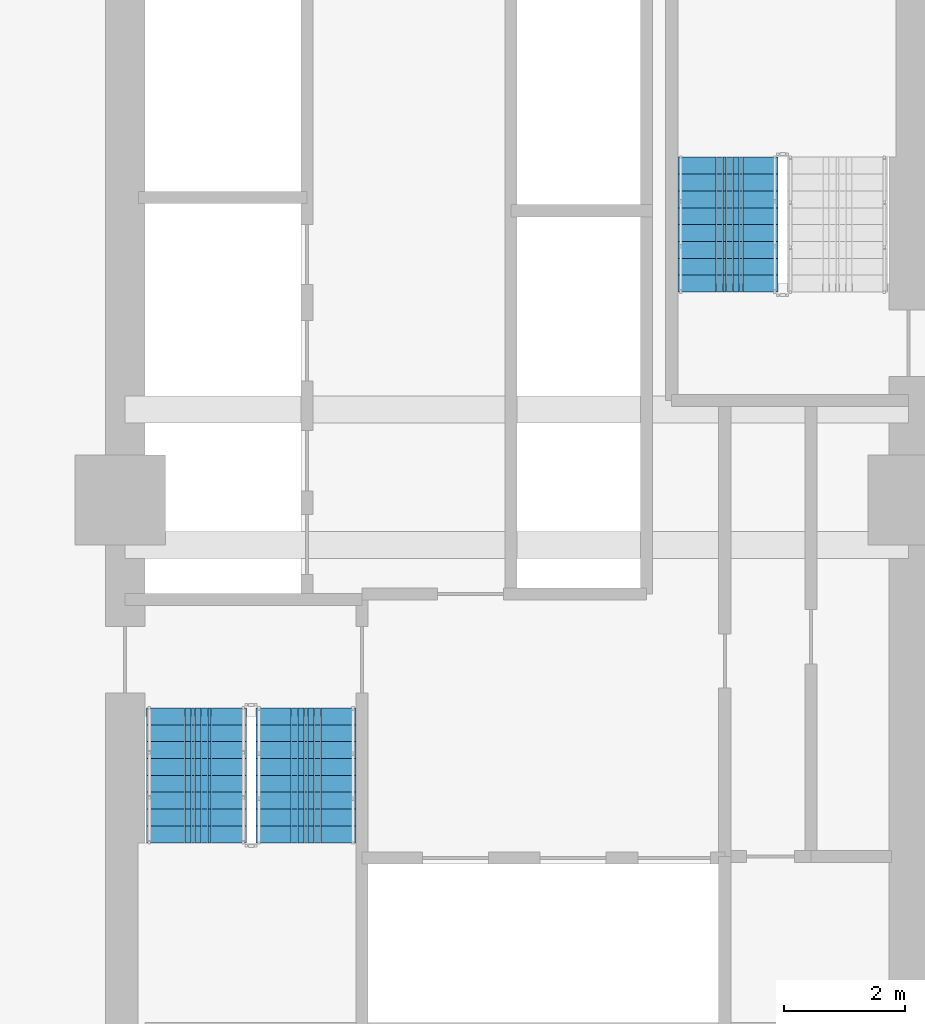
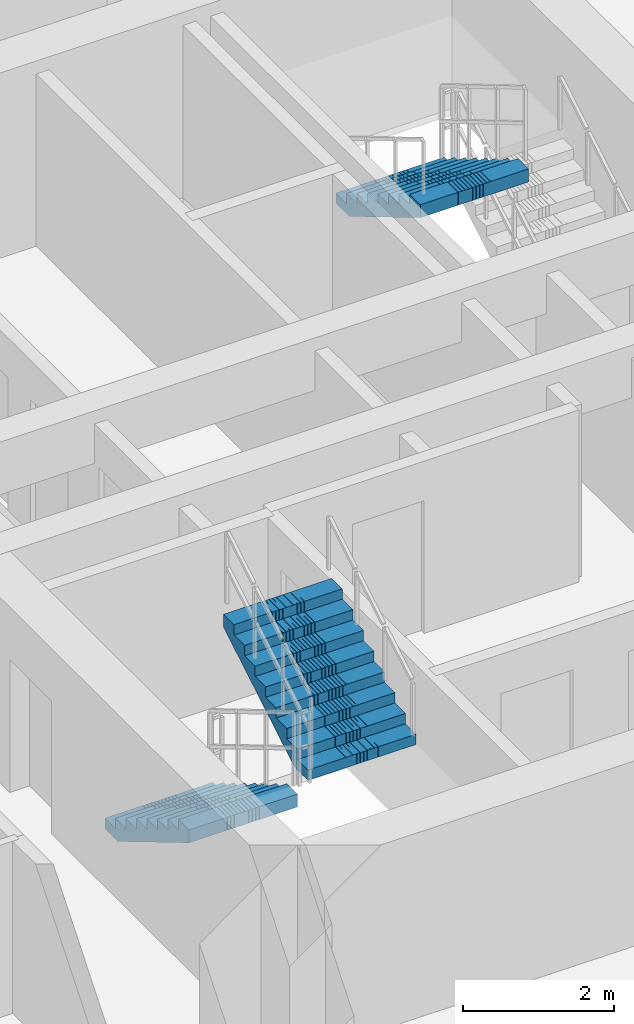
# One storey, part 9 of 18: 3 stair flights, 2 elements without a shape of their own.
"""IFC4 building model written with IfcOpenShell, lengths in metres."""

from ifc_helpers import new_model, si_unit, direction, frame, origin, place, context, subcontext, project, spatial, polyline, outline, extrude, material, type_object, element, aggregate, save


model = new_model("IFC4")

# Units and contexts
model_context = context("Model", 3, precision=1e-05, world=origin(), true_north=direction((0.0, 1.0)))
body_context = subcontext(model_context, "Body", "Model", "MODEL_VIEW")
ifc_project = project(units=[si_unit("LENGTHUNIT", "METRE"), si_unit("AREAUNIT", "SQUARE_METRE"), si_unit("VOLUMEUNIT", "CUBIC_METRE"), si_unit("PLANEANGLEUNIT", "RADIAN"), si_unit("MASSUNIT", "GRAM", prefix="KILO")], contexts=[model_context])

# Site, building, storey
site_placement = place(None, origin())
site = spatial("IfcSite", under=ifc_project, at=site_placement, CompositionType="ELEMENT")
building_placement = place(site_placement, origin())
building = spatial("IfcBuilding", under=site, at=building_placement, Name="Saelheon Loggia Tower", CompositionType="ELEMENT")
storey_placement = place(building_placement, frame((0.0, 0.0, 40.39990234375)))
storey = spatial("IfcBuildingStorey", under=building, at=storey_placement, Name="L12", CompositionType="ELEMENT", Elevation=40.39990234375)

# Stair, stair flights
ifc_material = material(Name="Concrete C40/50", Category="concrete")
stair_type = type_object("IfcStairType", Name="Stair_Escape_Core", PredefinedType="HALF_TURN_STAIR", material=ifc_material)
stair_1_placement = place(storey_placement, origin())
stair_1 = element("IfcStair", 1, at=stair_1_placement, inside=storey, type_object=stair_type, Name="L12 Special Escape Stair ST1", PredefinedType="HALF_TURN_STAIR")
stair_flight_type = type_object("IfcStairFlightType", Name="StairFlight_Tower_1660", PredefinedType="STRAIGHT", material=ifc_material)
stair_flight_1_placement = place(storey_placement, frame((32.679931640625, 23.550048828125, 0.0), z_axis=(0.0, 0.0, 1.0), x_axis=(0.0, -1.0, 0.0)))
stair_flight_1 = element("IfcStairFlight", 2, at=stair_flight_1_placement, type_object=stair_flight_type, Name="ST1 flight 1", NumberOfRisers=9, NumberOfTreads=8, PredefinedType="STRAIGHT", RiserHeight=0.166666667, TreadLength=0.28, context=body_context, shape_type="SweptSolid", body=[
    extrude(outline(polyline([(0.0, 0.0), (0.0, 0.166748046875), (0.280029296875, 0.166748046875), (0.280029296875, 0.333251953125), (0.56005859375, 0.333251953125), (0.56005859375, 0.5), (0.840087890625, 0.5), (0.840087890625, 0.666748046875), (1.1201171875, 0.666748046875), (1.1201171875, 0.833251953125), (1.39990234375, 0.833251953125), (1.39990234375, 1.0), (1.679931640625, 1.0), (1.679931640625, 1.166748046875), (1.9599609375, 1.166748046875), (1.9599609375, 1.333251953125), (2.239990234375, 1.333251953125), (2.239990234375, 1.5), (2.239990234375, 1.1240234375), (0.351806640625, 0.0), (0.0, 0.0)])), frame((0.0, -0.2490234375, 0.0), z_axis=(0.0, -1.0, 0.0), x_axis=(1.0, 0.0, 0.0)), (0.0, 0.0, 1.0), 0.5810546875),
    extrude(outline(polyline([(0.0, 0.0), (0.0, 0.166748046875), (0.280029296875, 0.166748046875), (0.280029296875, 0.333251953125), (0.56005859375, 0.333251953125), (0.56005859375, 0.5), (0.840087890625, 0.5), (0.840087890625, 0.666748046875), (1.1201171875, 0.666748046875), (1.1201171875, 0.833251953125), (1.39990234375, 0.833251953125), (1.39990234375, 1.0), (1.679931640625, 1.0), (1.679931640625, 1.166748046875), (1.9599609375, 1.166748046875), (1.9599609375, 1.333251953125), (2.239990234375, 1.333251953125), (2.239990234375, 1.5), (2.239990234375, 1.1240234375), (0.351806640625, 0.0), (0.0, 0.0)])), frame((0.0, -0.194091796875, 0.0), z_axis=(0.0, -1.0, 0.0), x_axis=(1.0, 0.0, 0.0)), (0.0, 0.0, 1.0), 0.0498046875),
    extrude(outline(polyline([(0.0, 0.0), (0.0, 0.166748046875), (0.280029296875, 0.166748046875), (0.280029296875, 0.333251953125), (0.56005859375, 0.333251953125), (0.56005859375, 0.5), (0.840087890625, 0.5), (0.840087890625, 0.666748046875), (1.1201171875, 0.666748046875), (1.1201171875, 0.833251953125), (1.39990234375, 0.833251953125), (1.39990234375, 1.0), (1.679931640625, 1.0), (1.679931640625, 1.166748046875), (1.9599609375, 1.166748046875), (1.9599609375, 1.333251953125), (2.239990234375, 1.333251953125), (2.239990234375, 1.5), (2.239990234375, 1.1240234375), (0.351806640625, 0.0), (0.0, 0.0)])), frame((0.0, -0.139404296875, 0.0), z_axis=(0.0, -1.0, 0.0), x_axis=(1.0, 0.0, 0.0)), (0.0, 0.0, 1.0), 0.0498046875),
    extrude(outline(polyline([(0.0, 0.0), (0.0, 0.166748046875), (0.280029296875, 0.166748046875), (0.280029296875, 0.333251953125), (0.56005859375, 0.333251953125), (0.56005859375, 0.5), (0.840087890625, 0.5), (0.840087890625, 0.666748046875), (1.1201171875, 0.666748046875), (1.1201171875, 0.833251953125), (1.39990234375, 0.833251953125), (1.39990234375, 1.0), (1.679931640625, 1.0), (1.679931640625, 1.166748046875), (1.9599609375, 1.166748046875), (1.9599609375, 1.333251953125), (2.239990234375, 1.333251953125), (2.239990234375, 1.5), (2.239990234375, 1.1240234375), (0.351806640625, 0.0), (0.0, 0.0)])), frame((0.0, -0.084716796875, 0.0), z_axis=(0.0, -1.0, 0.0), x_axis=(1.0, 0.0, 0.0)), (0.0, 0.0, 1.0), 0.0498046875),
    extrude(outline(polyline([(0.0, 0.0), (0.0, 0.166748046875), (0.280029296875, 0.166748046875), (0.280029296875, 0.333251953125), (0.56005859375, 0.333251953125), (0.56005859375, 0.5), (0.840087890625, 0.5), (0.840087890625, 0.666748046875), (1.1201171875, 0.666748046875), (1.1201171875, 0.833251953125), (1.39990234375, 0.833251953125), (1.39990234375, 1.0), (1.679931640625, 1.0), (1.679931640625, 1.166748046875), (1.9599609375, 1.166748046875), (1.9599609375, 1.333251953125), (2.239990234375, 1.333251953125), (2.239990234375, 1.5), (2.239990234375, 1.1240234375), (0.351806640625, 0.0), (0.0, 0.0)])), frame((0.0, -0.02978515625, 0.0), z_axis=(0.0, -1.0, 0.0), x_axis=(1.0, 0.0, 0.0)), (0.0, 0.0, 1.0), 0.0498046875),
    extrude(outline(polyline([(0.0, 0.0), (0.0, 0.166748046875), (0.280029296875, 0.166748046875), (0.280029296875, 0.333251953125), (0.56005859375, 0.333251953125), (0.56005859375, 0.5), (0.840087890625, 0.5), (0.840087890625, 0.666748046875), (1.1201171875, 0.666748046875), (1.1201171875, 0.833251953125), (1.39990234375, 0.833251953125), (1.39990234375, 1.0), (1.679931640625, 1.0), (1.679931640625, 1.166748046875), (1.9599609375, 1.166748046875), (1.9599609375, 1.333251953125), (2.239990234375, 1.333251953125), (2.239990234375, 1.5), (2.239990234375, 1.1240234375), (0.351806640625, 0.0), (0.0, 0.0)])), frame((0.0, 0.02490234375, 0.0), z_axis=(0.0, -1.0, 0.0), x_axis=(1.0, 0.0, 0.0)), (0.0, 0.0, 1.0), 0.0498046875),
    extrude(outline(polyline([(0.0, 0.0), (0.0, 0.166748046875), (0.280029296875, 0.166748046875), (0.280029296875, 0.333251953125), (0.56005859375, 0.333251953125), (0.56005859375, 0.5), (0.840087890625, 0.5), (0.840087890625, 0.666748046875), (1.1201171875, 0.666748046875), (1.1201171875, 0.833251953125), (1.39990234375, 0.833251953125), (1.39990234375, 1.0), (1.679931640625, 1.0), (1.679931640625, 1.166748046875), (1.9599609375, 1.166748046875), (1.9599609375, 1.333251953125), (2.239990234375, 1.333251953125), (2.239990234375, 1.5), (2.239990234375, 1.1240234375), (0.351806640625, 0.0), (0.0, 0.0)])), frame((0.0, 0.07958984375, 0.0), z_axis=(0.0, -1.0, 0.0), x_axis=(1.0, 0.0, 0.0)), (0.0, 0.0, 1.0), 0.0498046875),
    extrude(outline(polyline([(0.0, 0.0), (0.0, 0.166748046875), (0.280029296875, 0.166748046875), (0.280029296875, 0.333251953125), (0.56005859375, 0.333251953125), (0.56005859375, 0.5), (0.840087890625, 0.5), (0.840087890625, 0.666748046875), (1.1201171875, 0.666748046875), (1.1201171875, 0.833251953125), (1.39990234375, 0.833251953125), (1.39990234375, 1.0), (1.679931640625, 1.0), (1.679931640625, 1.166748046875), (1.9599609375, 1.166748046875), (1.9599609375, 1.333251953125), (2.239990234375, 1.333251953125), (2.239990234375, 1.5), (2.239990234375, 1.1240234375), (0.351806640625, 0.0), (0.0, 0.0)])), frame((0.0, 0.134521484375, 0.0), z_axis=(0.0, -1.0, 0.0), x_axis=(1.0, 0.0, 0.0)), (0.0, 0.0, 1.0), 0.0498046875),
    extrude(outline(polyline([(0.0, 0.0), (0.0, 0.166748046875), (0.280029296875, 0.166748046875), (0.280029296875, 0.333251953125), (0.56005859375, 0.333251953125), (0.56005859375, 0.5), (0.840087890625, 0.5), (0.840087890625, 0.666748046875), (1.1201171875, 0.666748046875), (1.1201171875, 0.833251953125), (1.39990234375, 0.833251953125), (1.39990234375, 1.0), (1.679931640625, 1.0), (1.679931640625, 1.166748046875), (1.9599609375, 1.166748046875), (1.9599609375, 1.333251953125), (2.239990234375, 1.333251953125), (2.239990234375, 1.5), (2.239990234375, 1.1240234375), (0.351806640625, 0.0), (0.0, 0.0)])), frame((0.0, 0.189208984375, 0.0), z_axis=(0.0, -1.0, 0.0), x_axis=(1.0, 0.0, 0.0)), (0.0, 0.0, 1.0), 0.0498046875),
    extrude(outline(polyline([(0.0, 0.0), (0.0, 0.166748046875), (0.280029296875, 0.166748046875), (0.280029296875, 0.333251953125), (0.56005859375, 0.333251953125), (0.56005859375, 0.5), (0.840087890625, 0.5), (0.840087890625, 0.666748046875), (1.1201171875, 0.666748046875), (1.1201171875, 0.833251953125), (1.39990234375, 0.833251953125), (1.39990234375, 1.0), (1.679931640625, 1.0), (1.679931640625, 1.166748046875), (1.9599609375, 1.166748046875), (1.9599609375, 1.333251953125), (2.239990234375, 1.333251953125), (2.239990234375, 1.5), (2.239990234375, 1.1240234375), (0.351806640625, 0.0), (0.0, 0.0)])), frame((0.0, 0.243896484375, 0.0), z_axis=(0.0, -1.0, 0.0), x_axis=(1.0, 0.0, 0.0)), (0.0, 0.0, 1.0), 0.0498046875),
    extrude(outline(polyline([(0.0, 0.0), (0.0, 0.166748046875), (0.280029296875, 0.166748046875), (0.280029296875, 0.333251953125), (0.56005859375, 0.333251953125), (0.56005859375, 0.5), (0.840087890625, 0.5), (0.840087890625, 0.666748046875), (1.1201171875, 0.666748046875), (1.1201171875, 0.833251953125), (1.39990234375, 0.833251953125), (1.39990234375, 1.0), (1.679931640625, 1.0), (1.679931640625, 1.166748046875), (1.9599609375, 1.166748046875), (1.9599609375, 1.333251953125), (2.239990234375, 1.333251953125), (2.239990234375, 1.5), (2.239990234375, 1.1240234375), (0.351806640625, 0.0), (0.0, 0.0)])), frame((0.0, 0.830078125, 0.0), z_axis=(0.0, -1.0, 0.0), x_axis=(1.0, 0.0, 0.0)), (0.0, 0.0, 1.0), 0.5810546875),
])
stair_flight_2_placement = place(storey_placement, frame((34.5, 21.31005859375, 1.5), z_axis=(0.0, 0.0, 1.0), x_axis=(0.0, 1.0, 0.0)))
stair_flight_2 = element("IfcStairFlight", 3, at=stair_flight_2_placement, type_object=stair_flight_type, Name="ST1 flight 2", NumberOfRisers=9, NumberOfTreads=8, PredefinedType="STRAIGHT", RiserHeight=0.166666667, TreadLength=0.28, context=body_context, shape_type="SweptSolid", body=[
    extrude(outline(polyline([(0.0, 0.0), (0.0, 0.166748046875), (0.280029296875, 0.166748046875), (0.280029296875, 0.333251953125), (0.56005859375, 0.333251953125), (0.56005859375, 0.5), (0.840087890625, 0.5), (0.840087890625, 0.666748046875), (1.1201171875, 0.666748046875), (1.1201171875, 0.833251953125), (1.39990234375, 0.833251953125), (1.39990234375, 1.0), (1.679931640625, 1.0), (1.679931640625, 1.166748046875), (1.9599609375, 1.166748046875), (1.9599609375, 1.333251953125), (2.239990234375, 1.333251953125), (2.239990234375, 1.5), (2.239990234375, 1.1240234375), (0.351806640625, 0.0), (0.0, 0.0)])), frame((0.0, -0.2490234375, 0.0), z_axis=(0.0, -1.0, 0.0), x_axis=(1.0, 0.0, 0.0)), (0.0, 0.0, 1.0), 0.5810546875),
    extrude(outline(polyline([(0.0, 0.0), (0.0, 0.166748046875), (0.280029296875, 0.166748046875), (0.280029296875, 0.333251953125), (0.56005859375, 0.333251953125), (0.56005859375, 0.5), (0.840087890625, 0.5), (0.840087890625, 0.666748046875), (1.1201171875, 0.666748046875), (1.1201171875, 0.833251953125), (1.39990234375, 0.833251953125), (1.39990234375, 1.0), (1.679931640625, 1.0), (1.679931640625, 1.166748046875), (1.9599609375, 1.166748046875), (1.9599609375, 1.333251953125), (2.239990234375, 1.333251953125), (2.239990234375, 1.5), (2.239990234375, 1.1240234375), (0.351806640625, 0.0), (0.0, 0.0)])), frame((0.0, -0.194091796875, 0.0), z_axis=(0.0, -1.0, 0.0), x_axis=(1.0, 0.0, 0.0)), (0.0, 0.0, 1.0), 0.0498046875),
    extrude(outline(polyline([(0.0, 0.0), (0.0, 0.166748046875), (0.280029296875, 0.166748046875), (0.280029296875, 0.333251953125), (0.56005859375, 0.333251953125), (0.56005859375, 0.5), (0.840087890625, 0.5), (0.840087890625, 0.666748046875), (1.1201171875, 0.666748046875), (1.1201171875, 0.833251953125), (1.39990234375, 0.833251953125), (1.39990234375, 1.0), (1.679931640625, 1.0), (1.679931640625, 1.166748046875), (1.9599609375, 1.166748046875), (1.9599609375, 1.333251953125), (2.239990234375, 1.333251953125), (2.239990234375, 1.5), (2.239990234375, 1.1240234375), (0.351806640625, 0.0), (0.0, 0.0)])), frame((0.0, -0.139404296875, 0.0), z_axis=(0.0, -1.0, 0.0), x_axis=(1.0, 0.0, 0.0)), (0.0, 0.0, 1.0), 0.0498046875),
    extrude(outline(polyline([(0.0, 0.0), (0.0, 0.166748046875), (0.280029296875, 0.166748046875), (0.280029296875, 0.333251953125), (0.56005859375, 0.333251953125), (0.56005859375, 0.5), (0.840087890625, 0.5), (0.840087890625, 0.666748046875), (1.1201171875, 0.666748046875), (1.1201171875, 0.833251953125), (1.39990234375, 0.833251953125), (1.39990234375, 1.0), (1.679931640625, 1.0), (1.679931640625, 1.166748046875), (1.9599609375, 1.166748046875), (1.9599609375, 1.333251953125), (2.239990234375, 1.333251953125), (2.239990234375, 1.5), (2.239990234375, 1.1240234375), (0.351806640625, 0.0), (0.0, 0.0)])), frame((0.0, -0.084716796875, 0.0), z_axis=(0.0, -1.0, 0.0), x_axis=(1.0, 0.0, 0.0)), (0.0, 0.0, 1.0), 0.0498046875),
    extrude(outline(polyline([(0.0, 0.0), (0.0, 0.166748046875), (0.280029296875, 0.166748046875), (0.280029296875, 0.333251953125), (0.56005859375, 0.333251953125), (0.56005859375, 0.5), (0.840087890625, 0.5), (0.840087890625, 0.666748046875), (1.1201171875, 0.666748046875), (1.1201171875, 0.833251953125), (1.39990234375, 0.833251953125), (1.39990234375, 1.0), (1.679931640625, 1.0), (1.679931640625, 1.166748046875), (1.9599609375, 1.166748046875), (1.9599609375, 1.333251953125), (2.239990234375, 1.333251953125), (2.239990234375, 1.5), (2.239990234375, 1.1240234375), (0.351806640625, 0.0), (0.0, 0.0)])), frame((0.0, -0.02978515625, 0.0), z_axis=(0.0, -1.0, 0.0), x_axis=(1.0, 0.0, 0.0)), (0.0, 0.0, 1.0), 0.0498046875),
    extrude(outline(polyline([(0.0, 0.0), (0.0, 0.166748046875), (0.280029296875, 0.166748046875), (0.280029296875, 0.333251953125), (0.56005859375, 0.333251953125), (0.56005859375, 0.5), (0.840087890625, 0.5), (0.840087890625, 0.666748046875), (1.1201171875, 0.666748046875), (1.1201171875, 0.833251953125), (1.39990234375, 0.833251953125), (1.39990234375, 1.0), (1.679931640625, 1.0), (1.679931640625, 1.166748046875), (1.9599609375, 1.166748046875), (1.9599609375, 1.333251953125), (2.239990234375, 1.333251953125), (2.239990234375, 1.5), (2.239990234375, 1.1240234375), (0.351806640625, 0.0), (0.0, 0.0)])), frame((0.0, 0.02490234375, 0.0), z_axis=(0.0, -1.0, 0.0), x_axis=(1.0, 0.0, 0.0)), (0.0, 0.0, 1.0), 0.0498046875),
    extrude(outline(polyline([(0.0, 0.0), (0.0, 0.166748046875), (0.280029296875, 0.166748046875), (0.280029296875, 0.333251953125), (0.56005859375, 0.333251953125), (0.56005859375, 0.5), (0.840087890625, 0.5), (0.840087890625, 0.666748046875), (1.1201171875, 0.666748046875), (1.1201171875, 0.833251953125), (1.39990234375, 0.833251953125), (1.39990234375, 1.0), (1.679931640625, 1.0), (1.679931640625, 1.166748046875), (1.9599609375, 1.166748046875), (1.9599609375, 1.333251953125), (2.239990234375, 1.333251953125), (2.239990234375, 1.5), (2.239990234375, 1.1240234375), (0.351806640625, 0.0), (0.0, 0.0)])), frame((0.0, 0.07958984375, 0.0), z_axis=(0.0, -1.0, 0.0), x_axis=(1.0, 0.0, 0.0)), (0.0, 0.0, 1.0), 0.0498046875),
    extrude(outline(polyline([(0.0, 0.0), (0.0, 0.166748046875), (0.280029296875, 0.166748046875), (0.280029296875, 0.333251953125), (0.56005859375, 0.333251953125), (0.56005859375, 0.5), (0.840087890625, 0.5), (0.840087890625, 0.666748046875), (1.1201171875, 0.666748046875), (1.1201171875, 0.833251953125), (1.39990234375, 0.833251953125), (1.39990234375, 1.0), (1.679931640625, 1.0), (1.679931640625, 1.166748046875), (1.9599609375, 1.166748046875), (1.9599609375, 1.333251953125), (2.239990234375, 1.333251953125), (2.239990234375, 1.5), (2.239990234375, 1.1240234375), (0.351806640625, 0.0), (0.0, 0.0)])), frame((0.0, 0.134521484375, 0.0), z_axis=(0.0, -1.0, 0.0), x_axis=(1.0, 0.0, 0.0)), (0.0, 0.0, 1.0), 0.0498046875),
    extrude(outline(polyline([(0.0, 0.0), (0.0, 0.166748046875), (0.280029296875, 0.166748046875), (0.280029296875, 0.333251953125), (0.56005859375, 0.333251953125), (0.56005859375, 0.5), (0.840087890625, 0.5), (0.840087890625, 0.666748046875), (1.1201171875, 0.666748046875), (1.1201171875, 0.833251953125), (1.39990234375, 0.833251953125), (1.39990234375, 1.0), (1.679931640625, 1.0), (1.679931640625, 1.166748046875), (1.9599609375, 1.166748046875), (1.9599609375, 1.333251953125), (2.239990234375, 1.333251953125), (2.239990234375, 1.5), (2.239990234375, 1.1240234375), (0.351806640625, 0.0), (0.0, 0.0)])), frame((0.0, 0.189208984375, 0.0), z_axis=(0.0, -1.0, 0.0), x_axis=(1.0, 0.0, 0.0)), (0.0, 0.0, 1.0), 0.0498046875),
    extrude(outline(polyline([(0.0, 0.0), (0.0, 0.166748046875), (0.280029296875, 0.166748046875), (0.280029296875, 0.333251953125), (0.56005859375, 0.333251953125), (0.56005859375, 0.5), (0.840087890625, 0.5), (0.840087890625, 0.666748046875), (1.1201171875, 0.666748046875), (1.1201171875, 0.833251953125), (1.39990234375, 0.833251953125), (1.39990234375, 1.0), (1.679931640625, 1.0), (1.679931640625, 1.166748046875), (1.9599609375, 1.166748046875), (1.9599609375, 1.333251953125), (2.239990234375, 1.333251953125), (2.239990234375, 1.5), (2.239990234375, 1.1240234375), (0.351806640625, 0.0), (0.0, 0.0)])), frame((0.0, 0.243896484375, 0.0), z_axis=(0.0, -1.0, 0.0), x_axis=(1.0, 0.0, 0.0)), (0.0, 0.0, 1.0), 0.0498046875),
    extrude(outline(polyline([(0.0, 0.0), (0.0, 0.166748046875), (0.280029296875, 0.166748046875), (0.280029296875, 0.333251953125), (0.56005859375, 0.333251953125), (0.56005859375, 0.5), (0.840087890625, 0.5), (0.840087890625, 0.666748046875), (1.1201171875, 0.666748046875), (1.1201171875, 0.833251953125), (1.39990234375, 0.833251953125), (1.39990234375, 1.0), (1.679931640625, 1.0), (1.679931640625, 1.166748046875), (1.9599609375, 1.166748046875), (1.9599609375, 1.333251953125), (2.239990234375, 1.333251953125), (2.239990234375, 1.5), (2.239990234375, 1.1240234375), (0.351806640625, 0.0), (0.0, 0.0)])), frame((0.0, 0.830078125, 0.0), z_axis=(0.0, -1.0, 0.0), x_axis=(1.0, 0.0, 0.0)), (0.0, 0.0, 1.0), 0.5810546875),
])
aggregate(stair_1, [stair_flight_1, stair_flight_2])

# Stair, stair flight
stair_2_placement = place(storey_placement, origin())
stair_2 = element("IfcStair", 4, at=stair_2_placement, inside=storey, type_object=stair_type, Name="L12 Special Escape Stair ST2", PredefinedType="HALF_TURN_STAIR")
stair_flight_3_placement = place(storey_placement, frame((41.5, 32.68994140625, 1.5), z_axis=(0.0, 0.0, 1.0), x_axis=(0.0, -1.0, 0.0)))
stair_flight_3 = element("IfcStairFlight", 5, at=stair_flight_3_placement, type_object=stair_flight_type, Name="ST2 flight 2", NumberOfRisers=9, NumberOfTreads=8, PredefinedType="STRAIGHT", RiserHeight=0.166666667, TreadLength=0.28, context=body_context, shape_type="SweptSolid", body=[
    extrude(outline(polyline([(0.0, 0.0), (0.0, 0.166748046875), (0.280029296875, 0.166748046875), (0.280029296875, 0.333251953125), (0.56005859375, 0.333251953125), (0.56005859375, 0.5), (0.840087890625, 0.5), (0.840087890625, 0.666748046875), (1.1201171875, 0.666748046875), (1.1201171875, 0.833251953125), (1.39990234375, 0.833251953125), (1.39990234375, 1.0), (1.679931640625, 1.0), (1.679931640625, 1.166748046875), (1.9599609375, 1.166748046875), (1.9599609375, 1.333251953125), (2.239990234375, 1.333251953125), (2.239990234375, 1.5), (2.239990234375, 1.1240234375), (0.351806640625, 0.0), (0.0, 0.0)])), frame((0.0, -0.2490234375, 0.0), z_axis=(0.0, -1.0, 0.0), x_axis=(1.0, 0.0, 0.0)), (0.0, 0.0, 1.0), 0.5810546875),
    extrude(outline(polyline([(0.0, 0.0), (0.0, 0.166748046875), (0.280029296875, 0.166748046875), (0.280029296875, 0.333251953125), (0.56005859375, 0.333251953125), (0.56005859375, 0.5), (0.840087890625, 0.5), (0.840087890625, 0.666748046875), (1.1201171875, 0.666748046875), (1.1201171875, 0.833251953125), (1.39990234375, 0.833251953125), (1.39990234375, 1.0), (1.679931640625, 1.0), (1.679931640625, 1.166748046875), (1.9599609375, 1.166748046875), (1.9599609375, 1.333251953125), (2.239990234375, 1.333251953125), (2.239990234375, 1.5), (2.239990234375, 1.1240234375), (0.351806640625, 0.0), (0.0, 0.0)])), frame((0.0, -0.194091796875, 0.0), z_axis=(0.0, -1.0, 0.0), x_axis=(1.0, 0.0, 0.0)), (0.0, 0.0, 1.0), 0.0498046875),
    extrude(outline(polyline([(0.0, 0.0), (0.0, 0.166748046875), (0.280029296875, 0.166748046875), (0.280029296875, 0.333251953125), (0.56005859375, 0.333251953125), (0.56005859375, 0.5), (0.840087890625, 0.5), (0.840087890625, 0.666748046875), (1.1201171875, 0.666748046875), (1.1201171875, 0.833251953125), (1.39990234375, 0.833251953125), (1.39990234375, 1.0), (1.679931640625, 1.0), (1.679931640625, 1.166748046875), (1.9599609375, 1.166748046875), (1.9599609375, 1.333251953125), (2.239990234375, 1.333251953125), (2.239990234375, 1.5), (2.239990234375, 1.1240234375), (0.351806640625, 0.0), (0.0, 0.0)])), frame((0.0, -0.139404296875, 0.0), z_axis=(0.0, -1.0, 0.0), x_axis=(1.0, 0.0, 0.0)), (0.0, 0.0, 1.0), 0.0498046875),
    extrude(outline(polyline([(0.0, 0.0), (0.0, 0.166748046875), (0.280029296875, 0.166748046875), (0.280029296875, 0.333251953125), (0.56005859375, 0.333251953125), (0.56005859375, 0.5), (0.840087890625, 0.5), (0.840087890625, 0.666748046875), (1.1201171875, 0.666748046875), (1.1201171875, 0.833251953125), (1.39990234375, 0.833251953125), (1.39990234375, 1.0), (1.679931640625, 1.0), (1.679931640625, 1.166748046875), (1.9599609375, 1.166748046875), (1.9599609375, 1.333251953125), (2.239990234375, 1.333251953125), (2.239990234375, 1.5), (2.239990234375, 1.1240234375), (0.351806640625, 0.0), (0.0, 0.0)])), frame((0.0, -0.084716796875, 0.0), z_axis=(0.0, -1.0, 0.0), x_axis=(1.0, 0.0, 0.0)), (0.0, 0.0, 1.0), 0.0498046875),
    extrude(outline(polyline([(0.0, 0.0), (0.0, 0.166748046875), (0.280029296875, 0.166748046875), (0.280029296875, 0.333251953125), (0.56005859375, 0.333251953125), (0.56005859375, 0.5), (0.840087890625, 0.5), (0.840087890625, 0.666748046875), (1.1201171875, 0.666748046875), (1.1201171875, 0.833251953125), (1.39990234375, 0.833251953125), (1.39990234375, 1.0), (1.679931640625, 1.0), (1.679931640625, 1.166748046875), (1.9599609375, 1.166748046875), (1.9599609375, 1.333251953125), (2.239990234375, 1.333251953125), (2.239990234375, 1.5), (2.239990234375, 1.1240234375), (0.351806640625, 0.0), (0.0, 0.0)])), frame((0.0, -0.02978515625, 0.0), z_axis=(0.0, -1.0, 0.0), x_axis=(1.0, 0.0, 0.0)), (0.0, 0.0, 1.0), 0.0498046875),
    extrude(outline(polyline([(0.0, 0.0), (0.0, 0.166748046875), (0.280029296875, 0.166748046875), (0.280029296875, 0.333251953125), (0.56005859375, 0.333251953125), (0.56005859375, 0.5), (0.840087890625, 0.5), (0.840087890625, 0.666748046875), (1.1201171875, 0.666748046875), (1.1201171875, 0.833251953125), (1.39990234375, 0.833251953125), (1.39990234375, 1.0), (1.679931640625, 1.0), (1.679931640625, 1.166748046875), (1.9599609375, 1.166748046875), (1.9599609375, 1.333251953125), (2.239990234375, 1.333251953125), (2.239990234375, 1.5), (2.239990234375, 1.1240234375), (0.351806640625, 0.0), (0.0, 0.0)])), frame((0.0, 0.02490234375, 0.0), z_axis=(0.0, -1.0, 0.0), x_axis=(1.0, 0.0, 0.0)), (0.0, 0.0, 1.0), 0.0498046875),
    extrude(outline(polyline([(0.0, 0.0), (0.0, 0.166748046875), (0.280029296875, 0.166748046875), (0.280029296875, 0.333251953125), (0.56005859375, 0.333251953125), (0.56005859375, 0.5), (0.840087890625, 0.5), (0.840087890625, 0.666748046875), (1.1201171875, 0.666748046875), (1.1201171875, 0.833251953125), (1.39990234375, 0.833251953125), (1.39990234375, 1.0), (1.679931640625, 1.0), (1.679931640625, 1.166748046875), (1.9599609375, 1.166748046875), (1.9599609375, 1.333251953125), (2.239990234375, 1.333251953125), (2.239990234375, 1.5), (2.239990234375, 1.1240234375), (0.351806640625, 0.0), (0.0, 0.0)])), frame((0.0, 0.07958984375, 0.0), z_axis=(0.0, -1.0, 0.0), x_axis=(1.0, 0.0, 0.0)), (0.0, 0.0, 1.0), 0.0498046875),
    extrude(outline(polyline([(0.0, 0.0), (0.0, 0.166748046875), (0.280029296875, 0.166748046875), (0.280029296875, 0.333251953125), (0.56005859375, 0.333251953125), (0.56005859375, 0.5), (0.840087890625, 0.5), (0.840087890625, 0.666748046875), (1.1201171875, 0.666748046875), (1.1201171875, 0.833251953125), (1.39990234375, 0.833251953125), (1.39990234375, 1.0), (1.679931640625, 1.0), (1.679931640625, 1.166748046875), (1.9599609375, 1.166748046875), (1.9599609375, 1.333251953125), (2.239990234375, 1.333251953125), (2.239990234375, 1.5), (2.239990234375, 1.1240234375), (0.351806640625, 0.0), (0.0, 0.0)])), frame((0.0, 0.134521484375, 0.0), z_axis=(0.0, -1.0, 0.0), x_axis=(1.0, 0.0, 0.0)), (0.0, 0.0, 1.0), 0.0498046875),
    extrude(outline(polyline([(0.0, 0.0), (0.0, 0.166748046875), (0.280029296875, 0.166748046875), (0.280029296875, 0.333251953125), (0.56005859375, 0.333251953125), (0.56005859375, 0.5), (0.840087890625, 0.5), (0.840087890625, 0.666748046875), (1.1201171875, 0.666748046875), (1.1201171875, 0.833251953125), (1.39990234375, 0.833251953125), (1.39990234375, 1.0), (1.679931640625, 1.0), (1.679931640625, 1.166748046875), (1.9599609375, 1.166748046875), (1.9599609375, 1.333251953125), (2.239990234375, 1.333251953125), (2.239990234375, 1.5), (2.239990234375, 1.1240234375), (0.351806640625, 0.0), (0.0, 0.0)])), frame((0.0, 0.189208984375, 0.0), z_axis=(0.0, -1.0, 0.0), x_axis=(1.0, 0.0, 0.0)), (0.0, 0.0, 1.0), 0.0498046875),
    extrude(outline(polyline([(0.0, 0.0), (0.0, 0.166748046875), (0.280029296875, 0.166748046875), (0.280029296875, 0.333251953125), (0.56005859375, 0.333251953125), (0.56005859375, 0.5), (0.840087890625, 0.5), (0.840087890625, 0.666748046875), (1.1201171875, 0.666748046875), (1.1201171875, 0.833251953125), (1.39990234375, 0.833251953125), (1.39990234375, 1.0), (1.679931640625, 1.0), (1.679931640625, 1.166748046875), (1.9599609375, 1.166748046875), (1.9599609375, 1.333251953125), (2.239990234375, 1.333251953125), (2.239990234375, 1.5), (2.239990234375, 1.1240234375), (0.351806640625, 0.0), (0.0, 0.0)])), frame((0.0, 0.243896484375, 0.0), z_axis=(0.0, -1.0, 0.0), x_axis=(1.0, 0.0, 0.0)), (0.0, 0.0, 1.0), 0.0498046875),
    extrude(outline(polyline([(0.0, 0.0), (0.0, 0.166748046875), (0.280029296875, 0.166748046875), (0.280029296875, 0.333251953125), (0.56005859375, 0.333251953125), (0.56005859375, 0.5), (0.840087890625, 0.5), (0.840087890625, 0.666748046875), (1.1201171875, 0.666748046875), (1.1201171875, 0.833251953125), (1.39990234375, 0.833251953125), (1.39990234375, 1.0), (1.679931640625, 1.0), (1.679931640625, 1.166748046875), (1.9599609375, 1.166748046875), (1.9599609375, 1.333251953125), (2.239990234375, 1.333251953125), (2.239990234375, 1.5), (2.239990234375, 1.1240234375), (0.351806640625, 0.0), (0.0, 0.0)])), frame((0.0, 0.830078125, 0.0), z_axis=(0.0, -1.0, 0.0), x_axis=(1.0, 0.0, 0.0)), (0.0, 0.0, 1.0), 0.5810546875),
])
aggregate(stair_2, [stair_flight_3])

save(model, "model.ifc")
